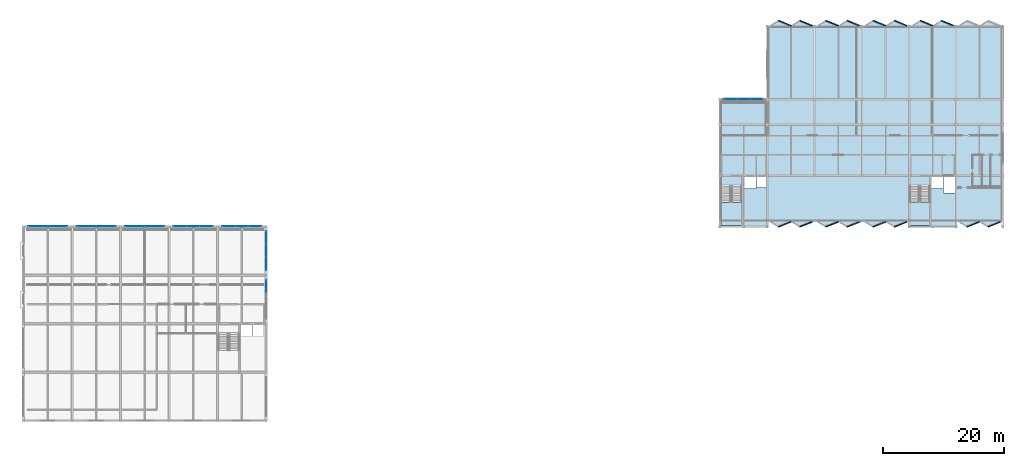
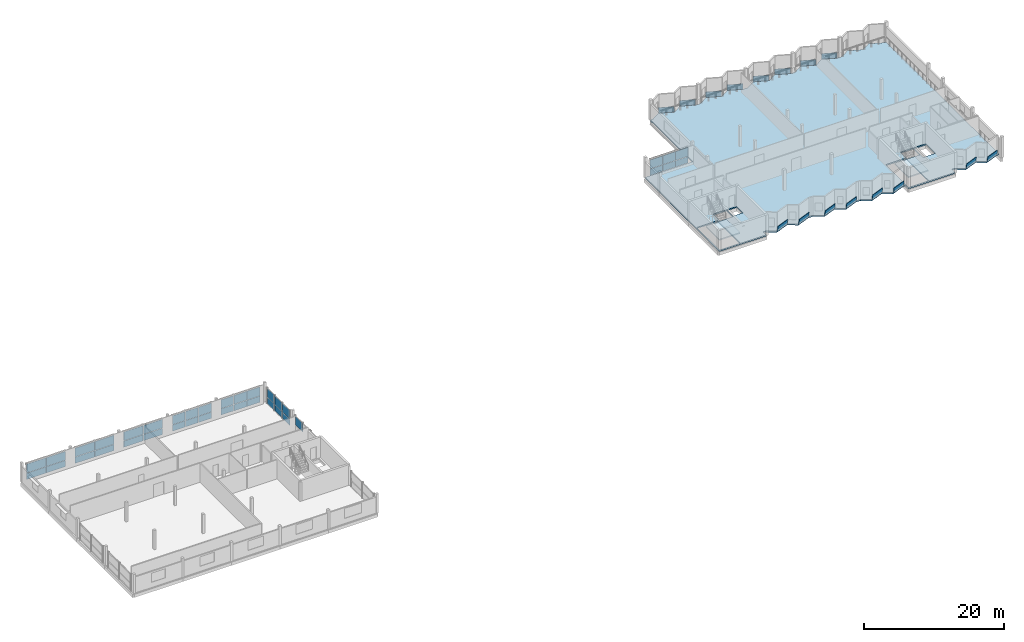
# One storey, part 10 of 22: 53 plates, 3 slabs, 10 elements without a shape of their own.
"""IFC4 building model written with IfcOpenShell, lengths in metres."""

from ifc_helpers import new_model, si_unit, direction, frame, origin, origin_2d, place, context, subcontext, project, spatial, polyline, rectangle, outline, extrude, material, layer, layer_set, type_object, element, aggregate, save


model = new_model("IFC4")

# Units and contexts
model_context = context("Model", 3, precision=1e-05, world=origin(), true_north=direction((0.0, 1.0)))
body_context = subcontext(model_context, "Body", "Model", "MODEL_VIEW")
ifc_project = project(units=[si_unit("LENGTHUNIT", "METRE"), si_unit("AREAUNIT", "SQUARE_METRE"), si_unit("VOLUMEUNIT", "CUBIC_METRE"), si_unit("PLANEANGLEUNIT", "RADIAN"), si_unit("MASSUNIT", "GRAM", prefix="KILO")], contexts=[model_context])

# Site, building, storey
site_placement = place(None, origin())
site = spatial("IfcSite", under=ifc_project, at=site_placement, CompositionType="ELEMENT")
building_placement = place(site_placement, origin())
building = spatial("IfcBuilding", under=site, at=building_placement, Name="Vharandega Faculty of Natural Sciences", CompositionType="ELEMENT")
storey_placement = place(building_placement, frame((0.0, 0.0, 28.800048828125)))
storey = spatial("IfcBuildingStorey", under=building, at=storey_placement, Name="L07", CompositionType="ELEMENT", Elevation=28.800048828125)

# Curtain wall, plates
ifc_material_1 = material(Name="Aluminium and solar-control glass curtain wall", Category="aluminium")
curtain_wall_type_1 = type_object("IfcCurtainWallType", Name="Unitised Curtain Wall System CW-01", PredefinedType="NOTDEFINED", material=ifc_material_1)
curtain_wall_1_placement = place(storey_placement, origin())
curtain_wall_1 = element("IfcCurtainWall", 1, at=curtain_wall_1_placement, inside=storey, type_object=curtain_wall_type_1, Name="Curtain Wall CW-L07-028", PredefinedType="NOTDEFINED")
ifc_material_2 = material(Name="Double-glazed low-E solar glass", Category="glass")
ifc_layer_1 = layer(ifc_material_2, 0.028076171875, Name="Double-glazed low-E solar glass")
ifc_layer_set_1 = layer_set([ifc_layer_1], Name="Double-glazed low-E solar glass")
plate_type_1 = type_object("IfcPlateType", Name="CW Solar Vision Panel 28mm", PredefinedType="CURTAIN_PANEL", material=ifc_layer_set_1)
plate_1_placement = place(storey_placement, frame((116.6083984375, 85.0, 0.06005859375), z_axis=(0.0, 0.0, 1.0), x_axis=(1.0, 0.0, 0.0)))
plate_1 = element("IfcPlate", 2, at=plate_1_placement, type_object=plate_type_1, Name="CW-01 panel 1.1", PredefinedType="CURTAIN_PANEL", context=body_context, shape_type="SweptSolid", body=[
    extrude(rectangle(XDim=2.0166015625, YDim=0.028076171875, at=origin_2d()), origin(), (0.0, 0.0, 1.0), 1.094482421875),
])
plate_2_placement = place(storey_placement, frame((116.6083984375, 85.0, 1.21435546875), z_axis=(0.0, 0.0, 1.0), x_axis=(1.0, 0.0, 0.0)))
plate_2 = element("IfcPlate", 3, at=plate_2_placement, type_object=plate_type_1, Name="CW-01 panel 1.2", PredefinedType="CURTAIN_PANEL", context=body_context, shape_type="SweptSolid", body=[
    extrude(rectangle(XDim=2.0166015625, YDim=0.028076171875, at=origin_2d()), origin(), (0.0, 0.0, 1.0), 1.545654296875),
])
plate_3_placement = place(storey_placement, frame((118.699951171875, 85.0, 0.06005859375), z_axis=(0.0, 0.0, 1.0), x_axis=(1.0, 0.0, 0.0)))
plate_3 = element("IfcPlate", 4, at=plate_3_placement, type_object=plate_type_1, Name="CW-01 panel 2.1", PredefinedType="CURTAIN_PANEL", context=body_context, shape_type="SweptSolid", body=[
    extrude(rectangle(XDim=2.046630859375, YDim=0.028076171875, at=origin_2d()), origin(), (0.0, 0.0, 1.0), 1.094482421875),
])
plate_4_placement = place(storey_placement, frame((118.699951171875, 85.0, 1.21435546875), z_axis=(0.0, 0.0, 1.0), x_axis=(1.0, 0.0, 0.0)))
plate_4 = element("IfcPlate", 5, at=plate_4_placement, type_object=plate_type_1, Name="CW-01 panel 2.2", PredefinedType="CURTAIN_PANEL", context=body_context, shape_type="SweptSolid", body=[
    extrude(rectangle(XDim=2.046630859375, YDim=0.028076171875, at=origin_2d()), origin(), (0.0, 0.0, 1.0), 1.545654296875),
])
plate_5_placement = place(storey_placement, frame((120.791748046875, 85.0, 0.06005859375), z_axis=(0.0, 0.0, 1.0), x_axis=(1.0, 0.0, 0.0)))
plate_5 = element("IfcPlate", 6, at=plate_5_placement, type_object=plate_type_1, Name="CW-01 panel 3.1", PredefinedType="CURTAIN_PANEL", context=body_context, shape_type="SweptSolid", body=[
    extrude(rectangle(XDim=2.0166015625, YDim=0.028076171875, at=origin_2d()), origin(), (0.0, 0.0, 1.0), 1.094482421875),
])
plate_6_placement = place(storey_placement, frame((120.791748046875, 85.0, 1.21435546875), z_axis=(0.0, 0.0, 1.0), x_axis=(1.0, 0.0, 0.0)))
plate_6 = element("IfcPlate", 7, at=plate_6_placement, type_object=plate_type_1, Name="CW-01 panel 3.2", PredefinedType="CURTAIN_PANEL", context=body_context, shape_type="SweptSolid", body=[
    extrude(rectangle(XDim=2.0166015625, YDim=0.028076171875, at=origin_2d()), origin(), (0.0, 0.0, 1.0), 1.545654296875),
])
aggregate(curtain_wall_1, [plate_1, plate_2, plate_3, plate_4, plate_5, plate_6])

# Curtain wall, plate
ifc_material_3 = material(Name="Aluminium and solar-control glass curtain wall", Category="aluminium")
curtain_wall_type_2 = type_object("IfcCurtainWallType", Name="Unitised Curtain Wall System CW-05", PredefinedType="NOTDEFINED", material=ifc_material_3)
curtain_wall_2_placement = place(storey_placement, origin())
curtain_wall_2 = element("IfcCurtainWall", 8, at=curtain_wall_2_placement, inside=storey, type_object=curtain_wall_type_2, Name="Curtain Wall CW-L07-228", PredefinedType="NOTDEFINED")
plate_7_placement = place(storey_placement, frame((40.0, 54.158447265625, 1.1806640625), z_axis=(0.0, 0.0, 1.0), x_axis=(0.0, 1.0, 0.0)))
plate_7 = element("IfcPlate", 9, at=plate_7_placement, type_object=plate_type_1, Name="CW-05 panel 3.2", PredefinedType="CURTAIN_PANEL", context=body_context, shape_type="SweptSolid", body=[
    extrude(rectangle(XDim=2.083251953125, YDim=0.028076171875, at=origin_2d()), origin(), (0.0, 0.0, 1.0), 1.499267578125),
])
aggregate(curtain_wall_2, [plate_7])

# Curtain wall, plates
ifc_material_4 = material(Name="Aluminium and solar-control glass curtain wall", Category="aluminium")
curtain_wall_type_3 = type_object("IfcCurtainWallType", Name="Unitised Curtain Wall System CW-06", PredefinedType="NOTDEFINED", material=ifc_material_4)
curtain_wall_3_placement = place(storey_placement, origin())
curtain_wall_3 = element("IfcCurtainWall", 10, at=curtain_wall_3_placement, inside=storey, type_object=curtain_wall_type_3, Name="Curtain Wall CW-L07-229", PredefinedType="NOTDEFINED")
plate_8_placement = place(storey_placement, frame((40.0, 57.841552734375, 0.06005859375), z_axis=(0.0, 0.0, 1.0), x_axis=(0.0, 1.0, 0.0)))
plate_8 = element("IfcPlate", 11, at=plate_8_placement, type_object=plate_type_1, Name="CW-06 panel 1.1", PredefinedType="CURTAIN_PANEL", context=body_context, shape_type="SweptSolid", body=[
    extrude(rectangle(XDim=2.083251953125, YDim=0.028076171875, at=origin_2d()), origin(), (0.0, 0.0, 1.0), 1.060791015625),
])
plate_9_placement = place(storey_placement, frame((40.0, 57.841552734375, 1.1806640625), z_axis=(0.0, 0.0, 1.0), x_axis=(0.0, 1.0, 0.0)))
plate_9 = element("IfcPlate", 12, at=plate_9_placement, type_object=plate_type_1, Name="CW-06 panel 1.2", PredefinedType="CURTAIN_PANEL", context=body_context, shape_type="SweptSolid", body=[
    extrude(rectangle(XDim=2.083251953125, YDim=0.028076171875, at=origin_2d()), origin(), (0.0, 0.0, 1.0), 1.499267578125),
])
plate_10_placement = place(storey_placement, frame((40.0, 60.0, 0.06005859375), z_axis=(0.0, 0.0, 1.0), x_axis=(0.0, 1.0, 0.0)))
plate_10 = element("IfcPlate", 13, at=plate_10_placement, type_object=plate_type_1, Name="CW-06 panel 2.1", PredefinedType="CURTAIN_PANEL", context=body_context, shape_type="SweptSolid", body=[
    extrude(rectangle(XDim=2.11328125, YDim=0.028076171875, at=origin_2d()), origin(), (0.0, 0.0, 1.0), 1.060791015625),
])
plate_11_placement = place(storey_placement, frame((40.0, 60.0, 1.1806640625), z_axis=(0.0, 0.0, 1.0), x_axis=(0.0, 1.0, 0.0)))
plate_11 = element("IfcPlate", 14, at=plate_11_placement, type_object=plate_type_1, Name="CW-06 panel 2.2", PredefinedType="CURTAIN_PANEL", context=body_context, shape_type="SweptSolid", body=[
    extrude(rectangle(XDim=2.11328125, YDim=0.028076171875, at=origin_2d()), origin(), (0.0, 0.0, 1.0), 1.499267578125),
])
plate_12_placement = place(storey_placement, frame((40.0, 62.158447265625, 0.06005859375), z_axis=(0.0, 0.0, 1.0), x_axis=(0.0, 1.0, 0.0)))
plate_12 = element("IfcPlate", 15, at=plate_12_placement, type_object=plate_type_1, Name="CW-06 panel 3.1", PredefinedType="CURTAIN_PANEL", context=body_context, shape_type="SweptSolid", body=[
    extrude(rectangle(XDim=2.083251953125, YDim=0.028076171875, at=origin_2d()), origin(), (0.0, 0.0, 1.0), 1.060791015625),
])
plate_13_placement = place(storey_placement, frame((40.0, 62.158447265625, 1.1806640625), z_axis=(0.0, 0.0, 1.0), x_axis=(0.0, 1.0, 0.0)))
plate_13 = element("IfcPlate", 16, at=plate_13_placement, type_object=plate_type_1, Name="CW-06 panel 3.2", PredefinedType="CURTAIN_PANEL", context=body_context, shape_type="SweptSolid", body=[
    extrude(rectangle(XDim=2.083251953125, YDim=0.028076171875, at=origin_2d()), origin(), (0.0, 0.0, 1.0), 1.499267578125),
])
aggregate(curtain_wall_3, [plate_8, plate_9, plate_10, plate_11, plate_12, plate_13])

ifc_material_5 = material(Name="Aluminium and solar-control glass curtain wall", Category="aluminium")
curtain_wall_type_4 = type_object("IfcCurtainWallType", Name="Unitised Curtain Wall System CW-07", PredefinedType="NOTDEFINED", material=ifc_material_5)
curtain_wall_4_placement = place(storey_placement, origin())
curtain_wall_4 = element("IfcCurtainWall", 17, at=curtain_wall_4_placement, inside=storey, type_object=curtain_wall_type_4, Name="Curtain Wall CW-L07-230", PredefinedType="NOTDEFINED")
plate_14_placement = place(storey_placement, frame((2.385009765625, 64.0, 0.059814453125), z_axis=(0.0, 0.0, 1.0), x_axis=(1.0, 0.0, 0.0)))
plate_14 = element("IfcPlate", 18, at=plate_14_placement, type_object=plate_type_1, Name="CW-07 panel 1.1", PredefinedType="CURTAIN_PANEL", context=body_context, shape_type="SweptSolid", body=[
    extrude(rectangle(XDim=3.169921875, YDim=0.028076171875, at=origin_2d()), origin(), (0.0, 0.0, 1.0), 1.07763671875),
])
plate_15_placement = place(storey_placement, frame((2.385009765625, 64.0, 1.197509765625), z_axis=(0.0, 0.0, 1.0), x_axis=(1.0, 0.0, 0.0)))
plate_15 = element("IfcPlate", 19, at=plate_15_placement, type_object=plate_type_1, Name="CW-07 panel 1.2", PredefinedType="CURTAIN_PANEL", context=body_context, shape_type="SweptSolid", body=[
    extrude(rectangle(XDim=3.169921875, YDim=0.028076171875, at=origin_2d()), origin(), (0.0, 0.0, 1.0), 1.5224609375),
])
plate_16_placement = place(storey_placement, frame((5.614990234375, 64.0, 0.059814453125), z_axis=(0.0, 0.0, 1.0), x_axis=(1.0, 0.0, 0.0)))
plate_16 = element("IfcPlate", 20, at=plate_16_placement, type_object=plate_type_1, Name="CW-07 panel 2.1", PredefinedType="CURTAIN_PANEL", context=body_context, shape_type="SweptSolid", body=[
    extrude(rectangle(XDim=3.169921875, YDim=0.028076171875, at=origin_2d()), origin(), (0.0, 0.0, 1.0), 1.07763671875),
])
plate_17_placement = place(storey_placement, frame((5.614990234375, 64.0, 1.197509765625), z_axis=(0.0, 0.0, 1.0), x_axis=(1.0, 0.0, 0.0)))
plate_17 = element("IfcPlate", 21, at=plate_17_placement, type_object=plate_type_1, Name="CW-07 panel 2.2", PredefinedType="CURTAIN_PANEL", context=body_context, shape_type="SweptSolid", body=[
    extrude(rectangle(XDim=3.169921875, YDim=0.028076171875, at=origin_2d()), origin(), (0.0, 0.0, 1.0), 1.5224609375),
])
aggregate(curtain_wall_4, [plate_14, plate_15, plate_16, plate_17])

ifc_material_6 = material(Name="Aluminium and solar-control glass curtain wall", Category="aluminium")
curtain_wall_type_5 = type_object("IfcCurtainWallType", Name="Unitised Curtain Wall System CW-08", PredefinedType="NOTDEFINED", material=ifc_material_6)
curtain_wall_5_placement = place(storey_placement, origin())
curtain_wall_5 = element("IfcCurtainWall", 22, at=curtain_wall_5_placement, inside=storey, type_object=curtain_wall_type_5, Name="Curtain Wall CW-L07-231", PredefinedType="NOTDEFINED")
plate_18_placement = place(storey_placement, frame((10.385009765625, 64.0, 0.059814453125), z_axis=(0.0, 0.0, 1.0), x_axis=(1.0, 0.0, 0.0)))
plate_18 = element("IfcPlate", 23, at=plate_18_placement, type_object=plate_type_1, Name="CW-08 panel 1.1", PredefinedType="CURTAIN_PANEL", context=body_context, shape_type="SweptSolid", body=[
    extrude(rectangle(XDim=3.169921875, YDim=0.028076171875, at=origin_2d()), origin(), (0.0, 0.0, 1.0), 1.07763671875),
])
plate_19_placement = place(storey_placement, frame((10.385009765625, 64.0, 1.197509765625), z_axis=(0.0, 0.0, 1.0), x_axis=(1.0, 0.0, 0.0)))
plate_19 = element("IfcPlate", 24, at=plate_19_placement, type_object=plate_type_1, Name="CW-08 panel 1.2", PredefinedType="CURTAIN_PANEL", context=body_context, shape_type="SweptSolid", body=[
    extrude(rectangle(XDim=3.169921875, YDim=0.028076171875, at=origin_2d()), origin(), (0.0, 0.0, 1.0), 1.5224609375),
])
plate_20_placement = place(storey_placement, frame((13.614990234375, 64.0, 0.059814453125), z_axis=(0.0, 0.0, 1.0), x_axis=(1.0, 0.0, 0.0)))
plate_20 = element("IfcPlate", 25, at=plate_20_placement, type_object=plate_type_1, Name="CW-08 panel 2.1", PredefinedType="CURTAIN_PANEL", context=body_context, shape_type="SweptSolid", body=[
    extrude(rectangle(XDim=3.169921875, YDim=0.028076171875, at=origin_2d()), origin(), (0.0, 0.0, 1.0), 1.07763671875),
])
plate_21_placement = place(storey_placement, frame((13.614990234375, 64.0, 1.197509765625), z_axis=(0.0, 0.0, 1.0), x_axis=(1.0, 0.0, 0.0)))
plate_21 = element("IfcPlate", 26, at=plate_21_placement, type_object=plate_type_1, Name="CW-08 panel 2.2", PredefinedType="CURTAIN_PANEL", context=body_context, shape_type="SweptSolid", body=[
    extrude(rectangle(XDim=3.169921875, YDim=0.028076171875, at=origin_2d()), origin(), (0.0, 0.0, 1.0), 1.5224609375),
])
aggregate(curtain_wall_5, [plate_18, plate_19, plate_20, plate_21])

ifc_material_7 = material(Name="Aluminium and solar-control glass curtain wall", Category="aluminium")
curtain_wall_type_6 = type_object("IfcCurtainWallType", Name="Unitised Curtain Wall System CW-09", PredefinedType="NOTDEFINED", material=ifc_material_7)
curtain_wall_6_placement = place(storey_placement, origin())
curtain_wall_6 = element("IfcCurtainWall", 27, at=curtain_wall_6_placement, inside=storey, type_object=curtain_wall_type_6, Name="Curtain Wall CW-L07-232", PredefinedType="NOTDEFINED")
plate_22_placement = place(storey_placement, frame((18.385009765625, 64.0, 0.059814453125), z_axis=(0.0, 0.0, 1.0), x_axis=(1.0, 0.0, 0.0)))
plate_22 = element("IfcPlate", 28, at=plate_22_placement, type_object=plate_type_1, Name="CW-09 panel 1.1", PredefinedType="CURTAIN_PANEL", context=body_context, shape_type="SweptSolid", body=[
    extrude(rectangle(XDim=3.169921875, YDim=0.028076171875, at=origin_2d()), origin(), (0.0, 0.0, 1.0), 1.07763671875),
])
plate_23_placement = place(storey_placement, frame((18.385009765625, 64.0, 1.197509765625), z_axis=(0.0, 0.0, 1.0), x_axis=(1.0, 0.0, 0.0)))
plate_23 = element("IfcPlate", 29, at=plate_23_placement, type_object=plate_type_1, Name="CW-09 panel 1.2", PredefinedType="CURTAIN_PANEL", context=body_context, shape_type="SweptSolid", body=[
    extrude(rectangle(XDim=3.169921875, YDim=0.028076171875, at=origin_2d()), origin(), (0.0, 0.0, 1.0), 1.5224609375),
])
plate_24_placement = place(storey_placement, frame((21.614990234375, 64.0, 0.059814453125), z_axis=(0.0, 0.0, 1.0), x_axis=(1.0, 0.0, 0.0)))
plate_24 = element("IfcPlate", 30, at=plate_24_placement, type_object=plate_type_1, Name="CW-09 panel 2.1", PredefinedType="CURTAIN_PANEL", context=body_context, shape_type="SweptSolid", body=[
    extrude(rectangle(XDim=3.169921875, YDim=0.028076171875, at=origin_2d()), origin(), (0.0, 0.0, 1.0), 1.07763671875),
])
plate_25_placement = place(storey_placement, frame((21.614990234375, 64.0, 1.197509765625), z_axis=(0.0, 0.0, 1.0), x_axis=(1.0, 0.0, 0.0)))
plate_25 = element("IfcPlate", 31, at=plate_25_placement, type_object=plate_type_1, Name="CW-09 panel 2.2", PredefinedType="CURTAIN_PANEL", context=body_context, shape_type="SweptSolid", body=[
    extrude(rectangle(XDim=3.169921875, YDim=0.028076171875, at=origin_2d()), origin(), (0.0, 0.0, 1.0), 1.5224609375),
])
aggregate(curtain_wall_6, [plate_22, plate_23, plate_24, plate_25])

ifc_material_8 = material(Name="Aluminium and solar-control glass curtain wall", Category="aluminium")
curtain_wall_type_7 = type_object("IfcCurtainWallType", Name="Unitised Curtain Wall System CW-10", PredefinedType="NOTDEFINED", material=ifc_material_8)
curtain_wall_7_placement = place(storey_placement, origin())
curtain_wall_7 = element("IfcCurtainWall", 32, at=curtain_wall_7_placement, inside=storey, type_object=curtain_wall_type_7, Name="Curtain Wall CW-L07-233", PredefinedType="NOTDEFINED")
plate_26_placement = place(storey_placement, frame((25.841552734375, 64.0, 0.059814453125), z_axis=(0.0, 0.0, 1.0), x_axis=(1.0, 0.0, 0.0)))
plate_26 = element("IfcPlate", 33, at=plate_26_placement, type_object=plate_type_1, Name="CW-10 panel 1.1", PredefinedType="CURTAIN_PANEL", context=body_context, shape_type="SweptSolid", body=[
    extrude(rectangle(XDim=2.083251953125, YDim=0.028076171875, at=origin_2d()), origin(), (0.0, 0.0, 1.0), 1.07763671875),
])
plate_27_placement = place(storey_placement, frame((25.841552734375, 64.0, 1.197509765625), z_axis=(0.0, 0.0, 1.0), x_axis=(1.0, 0.0, 0.0)))
plate_27 = element("IfcPlate", 34, at=plate_27_placement, type_object=plate_type_1, Name="CW-10 panel 1.2", PredefinedType="CURTAIN_PANEL", context=body_context, shape_type="SweptSolid", body=[
    extrude(rectangle(XDim=2.083251953125, YDim=0.028076171875, at=origin_2d()), origin(), (0.0, 0.0, 1.0), 1.5224609375),
])
plate_28_placement = place(storey_placement, frame((28.0, 64.0, 0.059814453125), z_axis=(0.0, 0.0, 1.0), x_axis=(1.0, 0.0, 0.0)))
plate_28 = element("IfcPlate", 35, at=plate_28_placement, type_object=plate_type_1, Name="CW-10 panel 2.1", PredefinedType="CURTAIN_PANEL", context=body_context, shape_type="SweptSolid", body=[
    extrude(rectangle(XDim=2.11328125, YDim=0.028076171875, at=origin_2d()), origin(), (0.0, 0.0, 1.0), 1.07763671875),
])
plate_29_placement = place(storey_placement, frame((28.0, 64.0, 1.197509765625), z_axis=(0.0, 0.0, 1.0), x_axis=(1.0, 0.0, 0.0)))
plate_29 = element("IfcPlate", 36, at=plate_29_placement, type_object=plate_type_1, Name="CW-10 panel 2.2", PredefinedType="CURTAIN_PANEL", context=body_context, shape_type="SweptSolid", body=[
    extrude(rectangle(XDim=2.11328125, YDim=0.028076171875, at=origin_2d()), origin(), (0.0, 0.0, 1.0), 1.5224609375),
])
plate_30_placement = place(storey_placement, frame((30.158447265625, 64.0, 0.059814453125), z_axis=(0.0, 0.0, 1.0), x_axis=(1.0, 0.0, 0.0)))
plate_30 = element("IfcPlate", 37, at=plate_30_placement, type_object=plate_type_1, Name="CW-10 panel 3.1", PredefinedType="CURTAIN_PANEL", context=body_context, shape_type="SweptSolid", body=[
    extrude(rectangle(XDim=2.083251953125, YDim=0.028076171875, at=origin_2d()), origin(), (0.0, 0.0, 1.0), 1.07763671875),
])
plate_31_placement = place(storey_placement, frame((30.158447265625, 64.0, 1.197509765625), z_axis=(0.0, 0.0, 1.0), x_axis=(1.0, 0.0, 0.0)))
plate_31 = element("IfcPlate", 38, at=plate_31_placement, type_object=plate_type_1, Name="CW-10 panel 3.2", PredefinedType="CURTAIN_PANEL", context=body_context, shape_type="SweptSolid", body=[
    extrude(rectangle(XDim=2.083251953125, YDim=0.028076171875, at=origin_2d()), origin(), (0.0, 0.0, 1.0), 1.5224609375),
])
aggregate(curtain_wall_7, [plate_26, plate_27, plate_28, plate_29, plate_30, plate_31])

ifc_material_9 = material(Name="Aluminium and solar-control glass curtain wall", Category="aluminium")
curtain_wall_type_8 = type_object("IfcCurtainWallType", Name="Unitised Curtain Wall System CW-11", PredefinedType="NOTDEFINED", material=ifc_material_9)
curtain_wall_8_placement = place(storey_placement, origin())
curtain_wall_8 = element("IfcCurtainWall", 39, at=curtain_wall_8_placement, inside=storey, type_object=curtain_wall_type_8, Name="Curtain Wall CW-L07-234", PredefinedType="NOTDEFINED")
plate_32_placement = place(storey_placement, frame((33.841552734375, 64.0, 0.059814453125), z_axis=(0.0, 0.0, 1.0), x_axis=(1.0, 0.0, 0.0)))
plate_32 = element("IfcPlate", 40, at=plate_32_placement, type_object=plate_type_1, Name="CW-11 panel 1.1", PredefinedType="CURTAIN_PANEL", context=body_context, shape_type="SweptSolid", body=[
    extrude(rectangle(XDim=2.083251953125, YDim=0.028076171875, at=origin_2d()), origin(), (0.0, 0.0, 1.0), 1.07763671875),
])
plate_33_placement = place(storey_placement, frame((33.841552734375, 64.0, 1.197509765625), z_axis=(0.0, 0.0, 1.0), x_axis=(1.0, 0.0, 0.0)))
plate_33 = element("IfcPlate", 41, at=plate_33_placement, type_object=plate_type_1, Name="CW-11 panel 1.2", PredefinedType="CURTAIN_PANEL", context=body_context, shape_type="SweptSolid", body=[
    extrude(rectangle(XDim=2.083251953125, YDim=0.028076171875, at=origin_2d()), origin(), (0.0, 0.0, 1.0), 1.5224609375),
])
plate_34_placement = place(storey_placement, frame((36.0, 64.0, 0.059814453125), z_axis=(0.0, 0.0, 1.0), x_axis=(1.0, 0.0, 0.0)))
plate_34 = element("IfcPlate", 42, at=plate_34_placement, type_object=plate_type_1, Name="CW-11 panel 2.1", PredefinedType="CURTAIN_PANEL", context=body_context, shape_type="SweptSolid", body=[
    extrude(rectangle(XDim=2.11328125, YDim=0.028076171875, at=origin_2d()), origin(), (0.0, 0.0, 1.0), 1.07763671875),
])
plate_35_placement = place(storey_placement, frame((36.0, 64.0, 1.197509765625), z_axis=(0.0, 0.0, 1.0), x_axis=(1.0, 0.0, 0.0)))
plate_35 = element("IfcPlate", 43, at=plate_35_placement, type_object=plate_type_1, Name="CW-11 panel 2.2", PredefinedType="CURTAIN_PANEL", context=body_context, shape_type="SweptSolid", body=[
    extrude(rectangle(XDim=2.11328125, YDim=0.028076171875, at=origin_2d()), origin(), (0.0, 0.0, 1.0), 1.5224609375),
])
plate_36_placement = place(storey_placement, frame((38.158447265625, 64.0, 0.059814453125), z_axis=(0.0, 0.0, 1.0), x_axis=(1.0, 0.0, 0.0)))
plate_36 = element("IfcPlate", 44, at=plate_36_placement, type_object=plate_type_1, Name="CW-11 panel 3.1", PredefinedType="CURTAIN_PANEL", context=body_context, shape_type="SweptSolid", body=[
    extrude(rectangle(XDim=2.083251953125, YDim=0.028076171875, at=origin_2d()), origin(), (0.0, 0.0, 1.0), 1.07763671875),
])
plate_37_placement = place(storey_placement, frame((38.158447265625, 64.0, 1.197509765625), z_axis=(0.0, 0.0, 1.0), x_axis=(1.0, 0.0, 0.0)))
plate_37 = element("IfcPlate", 45, at=plate_37_placement, type_object=plate_type_1, Name="CW-11 panel 3.2", PredefinedType="CURTAIN_PANEL", context=body_context, shape_type="SweptSolid", body=[
    extrude(rectangle(XDim=2.083251953125, YDim=0.028076171875, at=origin_2d()), origin(), (0.0, 0.0, 1.0), 1.5224609375),
])
aggregate(curtain_wall_8, [plate_32, plate_33, plate_34, plate_35, plate_36, plate_37])

# Slab
ifc_material_10 = material(Name="Cross-laminated timber CLT7-240", Category="wood")
ifc_layer_2 = layer(ifc_material_10, 0.219970703125, Name="Cross-laminated timber CLT7-240")
ifc_layer_set_2 = layer_set([ifc_layer_2], Name="Cross-laminated timber CLT7-240")
slab_type_1 = type_object("IfcSlabType", Name="SLAB-CLT-220", PredefinedType="FLOOR", material=ifc_layer_set_2)
slab_1_placement = place(storey_placement, frame((0.0, 0.0, -0.219970703125)))
element("IfcSlab", 46, at=slab_1_placement, inside=storey, type_object=slab_type_1, Name="L07 V4 Floor Slab", PredefinedType="FLOOR", context=body_context, shape_type="SweptSolid", body=[
    extrude(outline(polyline([(114.800048828125, 64.0), (122.60009765625, 64.0), (122.60009765625, 64.8798828125), (122.97998046875, 64.8798828125), (124.387939453125, 64.0400390625), (126.5, 64.8798828125), (126.5, 64.8798828125), (127.907958984375, 64.0400390625), (130.02001953125, 64.8798828125), (130.780029296875, 64.8798828125), (132.18798828125, 64.0400390625), (134.300048828125, 64.8798828125), (134.300048828125, 64.8798828125), (135.7080078125, 64.0400390625), (137.820068359375, 64.8798828125), (138.580078125, 64.8798828125), (139.988037109375, 64.0400390625), (142.10009765625, 64.8798828125), (142.10009765625, 64.8798828125), (143.508056640625, 64.0400390625), (145.6201171875, 64.8798828125), (146.0, 64.8798828125), (146.0, 64.0), (153.699951171875, 64.0), (153.699951171875, 64.8798828125), (154.080078125, 64.8798828125), (155.468017578125, 64.0400390625), (157.550048828125, 64.8798828125), (157.550048828125, 64.8798828125), (158.93798828125, 64.0400390625), (161.02001953125, 64.8798828125), (161.39990234375, 64.8798828125), (161.39990234375, 64.0), (161.39990234375, 97.0), (161.02001953125, 97.0), (158.93798828125, 97.8798828125), (157.550048828125, 97.0), (157.550048828125, 97.0), (155.468017578125, 97.8798828125), (154.080078125, 97.0), (153.320068359375, 97.0), (151.238037109375, 97.8798828125), (149.85009765625, 97.0), (149.85009765625, 97.0), (147.76806640625, 97.8798828125), (146.3798828125, 97.0), (145.6201171875, 97.0), (143.508056640625, 97.8798828125), (142.10009765625, 97.0), (142.10009765625, 97.0), (139.988037109375, 97.8798828125), (138.580078125, 97.0), (137.820068359375, 97.0), (135.7080078125, 97.8798828125), (134.300048828125, 97.0), (134.300048828125, 97.0), (132.18798828125, 97.8798828125), (130.780029296875, 97.0), (130.02001953125, 97.0), (127.907958984375, 97.8798828125), (126.5, 97.0), (126.5, 97.0), (124.387939453125, 97.8798828125), (122.97998046875, 97.0), (122.60009765625, 97.0), (122.60009765625, 85.0), (114.800048828125, 85.0), (114.800048828125, 64.0)]), holes=[polyline([(114.93994140625, 70.544921875), (114.93994140625, 64.139892578125), (118.360107421875, 64.139892578125), (118.360107421875, 70.544921875), (114.93994140625, 70.544921875)]), polyline([(118.64990234375, 70.300048828125), (120.75, 70.300048828125), (120.75, 72.219970703125), (118.64990234375, 72.219970703125), (118.64990234375, 70.300048828125)]), polyline([(120.85009765625, 70.39990234375), (122.47998046875, 70.39990234375), (122.47998046875, 72.219970703125), (120.85009765625, 72.219970703125), (120.85009765625, 70.39990234375)]), polyline([(146.06005859375, 70.594970703125), (146.06005859375, 64.139892578125), (149.3798828125, 64.139892578125), (149.3798828125, 70.594970703125), (146.06005859375, 70.594970703125)]), polyline([(149.449951171875, 70.300048828125), (151.570068359375, 70.300048828125), (151.570068359375, 72.219970703125), (149.449951171875, 72.219970703125), (149.449951171875, 70.300048828125)]), polyline([(151.6201171875, 69.5), (153.639892578125, 69.5), (153.639892578125, 72.219970703125), (151.6201171875, 72.219970703125), (151.6201171875, 69.5)])]), origin(), (0.0, 0.0, 1.0), 0.219970703125),
])

# Plates
ifc_material_11 = material(Name="White precast concrete C40/50", Category="concrete")
ifc_layer_3 = layer(ifc_material_11, 0.080078125, Name="White precast concrete C40/50")
ifc_layer_set_3 = layer_set([ifc_layer_3], Name="White precast concrete C40/50")
plate_type_2 = type_object("IfcPlateType", Name="Sawtooth Tilted White Precast Prism 80", PredefinedType="USERDEFINED", material=ifc_layer_set_3)
for number, where, z_axis, x_axis, name in (
    (47, (124.387939453125, 97.8798828125, 0.0), (-0.38213008843, -0.917133415176, 0.113326494182), (0.043508814605, 0.104641694763, 0.993557798404), "Sawtooth Tilted Precast Prism L07 N01"),
    (48, (127.907958984375, 97.8798828125, 0.0), (-0.38213008843, -0.917133415176, 0.113326494182), (0.043508814605, 0.104641694763, 0.993557798404), "Sawtooth Tilted Precast Prism L07 N02"),
    (49, (132.18798828125, 97.8798828125, 0.0), (-0.38213008843, -0.917133415176, 0.113326494182), (0.043508814605, 0.104641694763, 0.993557798404), "Sawtooth Tilted Precast Prism L07 N03"),
    (50, (135.7080078125, 97.8798828125, 0.0), (-0.38213008843, -0.917133415176, 0.113326494182), (0.043508814605, 0.104641694763, 0.993557798404), "Sawtooth Tilted Precast Prism L07 N04"),
    (51, (139.988037109375, 97.8798828125, 0.0), (-0.38213008843, -0.917133415176, 0.113326494182), (0.043508814605, 0.104641694763, 0.993557798404), "Sawtooth Tilted Precast Prism L07 N05"),
    (52, (143.508056640625, 97.8798828125, 0.0), (-0.38213008843, -0.917133415176, 0.113326494182), (0.043508814605, 0.104641694763, 0.993557798404), "Sawtooth Tilted Precast Prism L07 N06"),
):
    element("IfcPlate", number, at=place(storey_placement, frame(where, z_axis=z_axis, x_axis=x_axis)), inside=storey, type_object=plate_type_2, Name=name, ObjectType="FACADE PRISM", PredefinedType="USERDEFINED", context=body_context, shape_type="SweptSolid", body=[
        extrude(outline(polyline([(0.0, 0.0), (0.8856007183018657, -3.821812658011403e-18), (0.8853959930890345, -2.288104707577155), (-0.00017917792407083633, -2.2880108113294035), (0.0, 0.0)])), origin(), (0.0, 0.0, -1.0), 0.080078125),
    ])
plate_38_placement = place(storey_placement, frame((147.76806640625, 97.8798828125, 0.0), z_axis=(-0.386817749414, -0.915184288252, 0.113180154068), x_axis=(0.043784739317, 0.104368261997, 0.993574437317)))
element("IfcPlate", 53, at=plate_38_placement, inside=storey, type_object=plate_type_2, Name="Sawtooth Tilted Precast Prism L07 N07", ObjectType="FACADE PRISM", PredefinedType="USERDEFINED", context=body_context, shape_type="SweptSolid", body=[
    extrude(outline(polyline([(0.0, 0.0), (0.8855858439795705, -2.168404344971009e-19), (0.8848897190759801, -2.260415245596067), (-0.0006706443708762028, -2.2603202046314035), (0.0, 0.0)])), origin(), (0.0, 0.0, -1.0), 0.080078125),
])
plate_39_placement = place(storey_placement, frame((151.238037109375, 97.8798828125, 0.0), z_axis=(-0.386834642075, -0.915170595171, 0.113233128658), x_axis=(0.04403926033, 0.104318203212, 0.993568445568)))
element("IfcPlate", 54, at=plate_39_placement, inside=storey, type_object=plate_type_2, Name="Sawtooth Tilted Precast Prism L07 N08", ObjectType="FACADE PRISM", PredefinedType="USERDEFINED", context=body_context, shape_type="SweptSolid", body=[
    extrude(outline(polyline([(0.0, 0.0), (0.8855965718986443, -2.9205696021328276e-18), (0.8854636740121182, -2.2601904741535517), (-9.667780265362746e-05, -2.260320299228002), (0.0, 0.0)])), origin(), (0.0, 0.0, -1.0), 0.080078125),
])
for number, where, z_axis, x_axis, name in (
    (55, (126.5, 64.8798828125, 0.0), (-0.367171311911, 0.923237616435, 0.113214536648), (0.041951531837, -0.10515519478, 0.993570558132), "Sawtooth Tilted Precast Prism L07 S01"),
    (56, (130.02001953125, 64.8798828125, 0.0), (-0.367171311911, 0.923237616435, 0.113214536648), (0.041951531837, -0.10515519478, 0.993570558132), "Sawtooth Tilted Precast Prism L07 S02"),
    (57, (134.300048828125, 64.8798828125, 0.0), (-0.367171311911, 0.923237616435, 0.113214536648), (0.041951531837, -0.10515519478, 0.993570558132), "Sawtooth Tilted Precast Prism L07 S03"),
    (58, (137.820068359375, 64.8798828125, 0.0), (-0.367171311911, 0.923237616435, 0.113214536648), (0.041951531837, -0.10515519478, 0.993570558132), "Sawtooth Tilted Precast Prism L07 S04"),
    (59, (142.10009765625, 64.8798828125, 0.0), (-0.367171311911, 0.923237616435, 0.113214536648), (0.041951531837, -0.10515519478, 0.993570558132), "Sawtooth Tilted Precast Prism L07 S05"),
):
    element("IfcPlate", number, at=place(storey_placement, frame(where, z_axis=z_axis, x_axis=x_axis)), inside=storey, type_object=plate_type_2, Name=name, ObjectType="FACADE PRISM", PredefinedType="USERDEFINED", context=body_context, shape_type="SweptSolid", body=[
        extrude(outline(polyline([(0.0, 0.0), (0.8855637337790956, 5.339695699491109e-18), (0.8852991642756181, -2.2730040331997645), (-0.0002902421584531911, -2.2729138085590064), (0.0, 0.0)])), origin(), (0.0, 0.0, -1.0), 0.080078125),
    ])
plate_40_placement = place(storey_placement, frame((145.6201171875, 64.8798828125, 0.0), z_axis=(-0.367191753184, 0.923235652062, 0.113164248576), x_axis=(0.041694910845, -0.105203136477, 0.993576285187)))
element("IfcPlate", 60, at=plate_40_placement, inside=storey, type_object=plate_type_2, Name="Sawtooth Tilted Precast Prism L07 S06", ObjectType="FACADE PRISM", PredefinedType="USERDEFINED", context=body_context, shape_type="SweptSolid", body=[
    extrude(outline(polyline([(0.0, 0.0), (0.8855535298700004, 3.130633773051894e-18), (0.8858814141010081, -2.272777170195068), (0.00029202044992326925, -2.272913805666767), (0.0, 0.0)])), origin(), (0.0, 0.0, -1.0), 0.080078125),
])
plate_41_placement = place(storey_placement, frame((157.550048828125, 64.8798828125, 0.0), z_axis=(-0.371753343199, 0.921414513626, 0.113113862546), x_axis=(0.042247493707, -0.10492807804, 0.993582028679)))
element("IfcPlate", 61, at=plate_41_placement, inside=storey, type_object=plate_type_2, Name="Sawtooth Tilted Precast Prism L07 S07", ObjectType="FACADE PRISM", PredefinedType="USERDEFINED", context=body_context, shape_type="SweptSolid", body=[
    extrude(outline(polyline([(0.0, 0.0), (0.8855483807500657, 1.1926223897340549e-18), (0.8857469006956997, -2.2449020398239097), (0.00016258840956297205, -2.245037104155892), (0.0, 0.0)])), origin(), (0.0, 0.0, -1.0), 0.080078125),
])
plate_42_placement = place(storey_placement, frame((161.02001953125, 64.8798828125, 0.0), z_axis=(-0.371732429173, 0.921416699894, 0.113164774806), x_axis=(0.042503638669, -0.104879636127, 0.993576218831)))
element("IfcPlate", 62, at=plate_42_placement, inside=storey, type_object=plate_type_2, Name="Sawtooth Tilted Precast Prism L07 S08", ObjectType="FACADE PRISM", PredefinedType="USERDEFINED", context=body_context, shape_type="SweptSolid", body=[
    extrude(outline(polyline([(0.0, 0.0), (0.8855587194211085, 1.6805133673525319e-18), (0.8851729277563166, -2.2451284213747997), (-0.0004113970447056914, -2.2450370750818083), (0.0, 0.0)])), origin(), (0.0, 0.0, -1.0), 0.080078125),
])

# Stair, slab
ifc_material_12 = material(Name="Concrete C40/50", Category="concrete")
stair_type_1 = type_object("IfcStairType", Name="Escape Dog-Leg Stair W165 H360", PredefinedType="HALF_TURN_STAIR", material=ifc_material_12)
stair_1_placement = place(storey_placement, origin())
stair_1 = element("IfcStair", 63, at=stair_1_placement, inside=storey, type_object=stair_type_1, Name="L07 Escape Stair ST1", PredefinedType="HALF_TURN_STAIR")
ifc_material_13 = material(Name="Concrete C40/50", Category="concrete")
ifc_layer_4 = layer(ifc_material_13, 0.199951171875, Name="Concrete C40/50")
ifc_layer_set_4 = layer_set([ifc_layer_4], Name="Concrete C40/50")
slab_type_2 = type_object("IfcSlabType", Name="Stair Half-Landing Slab 200", PredefinedType="LANDING", material=ifc_layer_set_4)
slab_2_placement = place(storey_placement, frame((0.0, 0.0, 1.599853515625)))
slab_2 = element("IfcSlab", 64, at=slab_2_placement, type_object=slab_type_2, Name="ST1 landing 1", PredefinedType="LANDING", context=body_context, shape_type="SweptSolid", body=[
    extrude(outline(polyline([(114.93994140625, 68.0), (114.93994140625, 64.139892578125), (118.360107421875, 64.139892578125), (118.360107421875, 68.0), (114.93994140625, 68.0)])), origin(), (0.0, 0.0, 1.0), 0.2001953125),
])
aggregate(stair_1, [slab_2])

ifc_material_14 = material(Name="Concrete C40/50", Category="concrete")
stair_type_2 = type_object("IfcStairType", Name="Escape Dog-Leg Stair W160 H360", PredefinedType="HALF_TURN_STAIR", material=ifc_material_14)
stair_2_placement = place(storey_placement, origin())
stair_2 = element("IfcStair", 65, at=stair_2_placement, inside=storey, type_object=stair_type_2, Name="L07 Escape Stair ST2", PredefinedType="HALF_TURN_STAIR")
slab_3_placement = place(storey_placement, frame((0.0, 0.0, 1.599853515625)))
slab_3 = element("IfcSlab", 66, at=slab_3_placement, type_object=slab_type_2, Name="ST2 landing 1", PredefinedType="LANDING", context=body_context, shape_type="SweptSolid", body=[
    extrude(outline(polyline([(146.06005859375, 68.050048828125), (146.06005859375, 64.139892578125), (149.3798828125, 64.139892578125), (149.3798828125, 68.050048828125), (146.06005859375, 68.050048828125)])), origin(), (0.0, 0.0, 1.0), 0.2001953125),
])
aggregate(stair_2, [slab_3])

save(model, "model.ifc")
